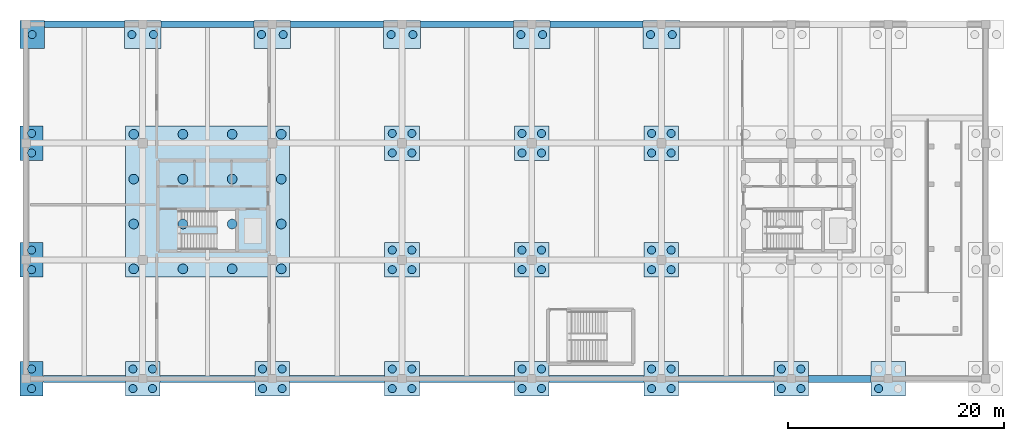
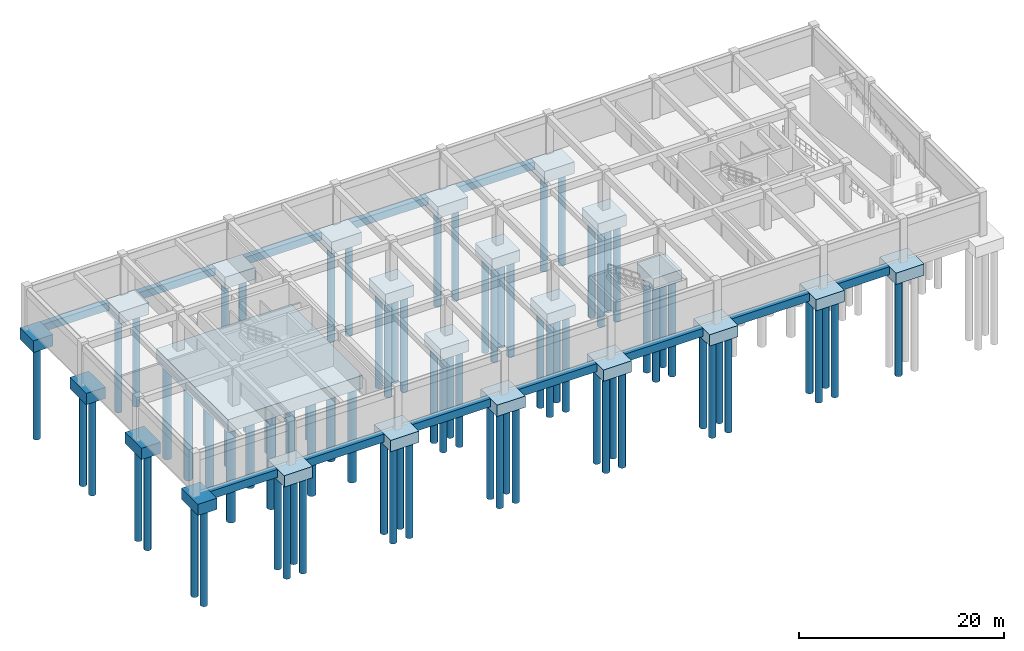
# One storey, part 1 of 8: 82 piles, 35 footings.
"""IFC4 building model written with IfcOpenShell, lengths in metres."""

from ifc_helpers import new_model, si_unit, derived_unit, direction, frame, origin, origin_2d, place, context, subcontext, project, spatial, polyline, rectangle, circle, outline, extrude, material, layer, layer_set, material_profile, profile_set, type_object, element, save


model = new_model("IFC4")

# Units and contexts
model_context = context("Model", 3, precision=1e-05, world=origin(), true_north=direction((0.0, 1.0)))
body_context = subcontext(model_context, "Body", "Model", "MODEL_VIEW")
ifc_project = project(units=[si_unit("LENGTHUNIT", "METRE"), si_unit("AREAUNIT", "SQUARE_METRE"), si_unit("VOLUMEUNIT", "CUBIC_METRE"), si_unit("PLANEANGLEUNIT", "RADIAN"), si_unit("MASSUNIT", "GRAM", prefix="KILO"), derived_unit("THERMALTRANSMITTANCEUNIT", [(si_unit("POWERUNIT", "WATT"), 1), (si_unit("LENGTHUNIT", "METRE"), -2), (si_unit("THERMODYNAMICTEMPERATUREUNIT", "KELVIN"), -1)])], contexts=[model_context])

# Site, building, storey
site_placement = place(None, origin())
site = spatial("IfcSite", under=ifc_project, at=site_placement, CompositionType="ELEMENT")
building_placement = place(site_placement, origin())
building = spatial("IfcBuilding", under=site, at=building_placement, Name="Almenara Railside Exhibition Hall", CompositionType="ELEMENT")
storey_placement = place(building_placement, frame((0.0, 0.0, -4.800048828125)))
storey = spatial("IfcBuildingStorey", under=building, at=storey_placement, Name="B1", CompositionType="ELEMENT", Elevation=-4.800048828125)

# Piles
ifc_material_1 = material(Name="Concrete C40/50", Category="concrete")
ifc_material_profile_1 = material_profile(ifc_material_1, circle(Radius=0.375, at=origin_2d()), Name="CFA-PILE D750")
ifc_profile_set_1 = profile_set([ifc_material_profile_1], Name="Concrete C40/50")
pile_type_1 = type_object("IfcPileType", Name="CFA Bored Pile D750 C40/50", PredefinedType="BORED", material=ifc_profile_set_1)
for number, where, z_axis, x_axis, name in (
    (1, (115.72509765625, -0.905029296875, -1.699951171875), (0.0, 0.0, -1.0), (1.0, 0.0, 0.0), "Bored pile 0321"),
    (2, (115.72509765625, 0.905029296875, -1.699951171875), (0.0, 0.0, -1.0), (1.0, 0.0, 0.0), "Bored pile 0322"),
    (3, (115.72509765625, 10.094970703125, -1.699951171875), (0.0, 0.0, -1.0), (1.0, 0.0, 0.0), "Bored pile 0323"),
    (4, (115.72509765625, 11.905029296875, -1.699951171875), (0.0, 0.0, -1.0), (1.0, 0.0, 0.0), "Bored pile 0324"),
    (5, (115.72509765625, 20.89501953125, -1.699951171875), (0.0, 0.0, -1.0), (1.0, 0.0, 0.0), "Bored pile 0325"),
    (6, (115.72509765625, 22.705078125, -1.699951171875), (0.0, 0.0, -1.0), (1.0, 0.0, 0.0), "Bored pile 0326"),
):
    element("IfcPile", number, at=place(storey_placement, frame(where, z_axis=z_axis, x_axis=x_axis)), inside=storey, type_object=pile_type_1, Name=name, PredefinedType="BORED", context=body_context, shape_type="SweptSolid", body=[
        extrude(circle(Radius=0.375, at=origin_2d()), origin(), (0.0, 0.0, 1.0), 11.5),
    ])
pile_placement = place(storey_placement, frame((115.77490234375, 31.85009765625, -1.75), z_axis=(0.0, 0.0, -1.0), x_axis=(1.0, 0.0, 0.0)))
element("IfcPile", 7, at=pile_placement, inside=storey, type_object=pile_type_1, Name="Bored pile 0327", PredefinedType="BORED", context=body_context, shape_type="SweptSolid", body=[
    extrude(circle(Radius=0.375, at=origin_2d()), origin(), (0.0, 0.0, 1.0), 11.449951171875),
])
for number, where, z_axis, x_axis, name in (
    (8, (125.094970703125, -0.905029296875, -1.699951171875), (0.0, 0.0, -1.0), (1.0, 0.0, 0.0), "Bored pile 0328"),
    (9, (125.094970703125, 0.905029296875, -1.699951171875), (0.0, 0.0, -1.0), (1.0, 0.0, 0.0), "Bored pile 0329"),
    (10, (126.905029296875, -0.905029296875, -1.699951171875), (0.0, 0.0, -1.0), (1.0, 0.0, 0.0), "Bored pile 0330"),
    (11, (126.905029296875, 0.905029296875, -1.699951171875), (0.0, 0.0, -1.0), (1.0, 0.0, 0.0), "Bored pile 0331"),
):
    element("IfcPile", number, at=place(storey_placement, frame(where, z_axis=z_axis, x_axis=x_axis)), inside=storey, type_object=pile_type_1, Name=name, PredefinedType="BORED", context=body_context, shape_type="SweptSolid", body=[
        extrude(circle(Radius=0.375, at=origin_2d()), origin(), (0.0, 0.0, 1.0), 11.5),
    ])
for number, where, z_axis, x_axis, name in (
    (12, (124.9951171875, 31.85009765625, -1.75), (0.0, 0.0, -1.0), (1.0, 0.0, 0.0), "Bored pile 0332"),
    (13, (127.0048828125, 31.85009765625, -1.75), (0.0, 0.0, -1.0), (1.0, 0.0, 0.0), "Bored pile 0333"),
):
    element("IfcPile", number, at=place(storey_placement, frame(where, z_axis=z_axis, x_axis=x_axis)), inside=storey, type_object=pile_type_1, Name=name, PredefinedType="BORED", context=body_context, shape_type="SweptSolid", body=[
        extrude(circle(Radius=0.375, at=origin_2d()), origin(), (0.0, 0.0, 1.0), 11.449951171875),
    ])
for number, where, z_axis, x_axis, name in (
    (14, (137.094970703125, -0.905029296875, -1.699951171875), (0.0, 0.0, -1.0), (1.0, 0.0, 0.0), "Bored pile 0334"),
    (15, (137.094970703125, 0.905029296875, -1.699951171875), (0.0, 0.0, -1.0), (1.0, 0.0, 0.0), "Bored pile 0335"),
    (16, (138.905029296875, -0.905029296875, -1.699951171875), (0.0, 0.0, -1.0), (1.0, 0.0, 0.0), "Bored pile 0336"),
    (17, (138.905029296875, 0.905029296875, -1.699951171875), (0.0, 0.0, -1.0), (1.0, 0.0, 0.0), "Bored pile 0337"),
):
    element("IfcPile", number, at=place(storey_placement, frame(where, z_axis=z_axis, x_axis=x_axis)), inside=storey, type_object=pile_type_1, Name=name, PredefinedType="BORED", context=body_context, shape_type="SweptSolid", body=[
        extrude(circle(Radius=0.375, at=origin_2d()), origin(), (0.0, 0.0, 1.0), 11.5),
    ])
for number, where, z_axis, x_axis, name in (
    (18, (136.9951171875, 31.85009765625, -1.75), (0.0, 0.0, -1.0), (1.0, 0.0, 0.0), "Bored pile 0338"),
    (19, (139.0048828125, 31.85009765625, -1.75), (0.0, 0.0, -1.0), (1.0, 0.0, 0.0), "Bored pile 0339"),
):
    element("IfcPile", number, at=place(storey_placement, frame(where, z_axis=z_axis, x_axis=x_axis)), inside=storey, type_object=pile_type_1, Name=name, PredefinedType="BORED", context=body_context, shape_type="SweptSolid", body=[
        extrude(circle(Radius=0.375, at=origin_2d()), origin(), (0.0, 0.0, 1.0), 11.449951171875),
    ])
for number, where, z_axis, x_axis, name in (
    (20, (149.094970703125, -0.905029296875, -1.699951171875), (0.0, 0.0, -1.0), (1.0, 0.0, 0.0), "Bored pile 0340"),
    (21, (149.094970703125, 0.905029296875, -1.699951171875), (0.0, 0.0, -1.0), (1.0, 0.0, 0.0), "Bored pile 0341"),
    (22, (150.905029296875, -0.905029296875, -1.699951171875), (0.0, 0.0, -1.0), (1.0, 0.0, 0.0), "Bored pile 0342"),
    (23, (150.905029296875, 0.905029296875, -1.699951171875), (0.0, 0.0, -1.0), (1.0, 0.0, 0.0), "Bored pile 0343"),
    (24, (149.094970703125, 10.094970703125, -1.699951171875), (0.0, 0.0, -1.0), (1.0, 0.0, 0.0), "Bored pile 0344"),
    (25, (149.094970703125, 11.905029296875, -1.699951171875), (0.0, 0.0, -1.0), (1.0, 0.0, 0.0), "Bored pile 0345"),
    (26, (150.905029296875, 10.094970703125, -1.699951171875), (0.0, 0.0, -1.0), (1.0, 0.0, 0.0), "Bored pile 0346"),
    (27, (150.905029296875, 11.905029296875, -1.699951171875), (0.0, 0.0, -1.0), (1.0, 0.0, 0.0), "Bored pile 0347"),
    (28, (149.094970703125, 20.89501953125, -1.699951171875), (0.0, 0.0, -1.0), (1.0, 0.0, 0.0), "Bored pile 0348"),
    (29, (149.094970703125, 22.705078125, -1.699951171875), (0.0, 0.0, -1.0), (1.0, 0.0, 0.0), "Bored pile 0349"),
    (30, (150.905029296875, 20.89501953125, -1.699951171875), (0.0, 0.0, -1.0), (1.0, 0.0, 0.0), "Bored pile 0350"),
    (31, (150.905029296875, 22.705078125, -1.699951171875), (0.0, 0.0, -1.0), (1.0, 0.0, 0.0), "Bored pile 0351"),
):
    element("IfcPile", number, at=place(storey_placement, frame(where, z_axis=z_axis, x_axis=x_axis)), inside=storey, type_object=pile_type_1, Name=name, PredefinedType="BORED", context=body_context, shape_type="SweptSolid", body=[
        extrude(circle(Radius=0.375, at=origin_2d()), origin(), (0.0, 0.0, 1.0), 11.5),
    ])
for number, where, z_axis, x_axis, name in (
    (32, (148.9951171875, 31.85009765625, -1.75), (0.0, 0.0, -1.0), (1.0, 0.0, 0.0), "Bored pile 0352"),
    (33, (151.0048828125, 31.85009765625, -1.75), (0.0, 0.0, -1.0), (1.0, 0.0, 0.0), "Bored pile 0353"),
):
    element("IfcPile", number, at=place(storey_placement, frame(where, z_axis=z_axis, x_axis=x_axis)), inside=storey, type_object=pile_type_1, Name=name, PredefinedType="BORED", context=body_context, shape_type="SweptSolid", body=[
        extrude(circle(Radius=0.375, at=origin_2d()), origin(), (0.0, 0.0, 1.0), 11.449951171875),
    ])
for number, where, z_axis, x_axis, name in (
    (34, (161.094970703125, -0.905029296875, -1.699951171875), (0.0, 0.0, -1.0), (1.0, 0.0, 0.0), "Bored pile 0354"),
    (35, (161.094970703125, 0.905029296875, -1.699951171875), (0.0, 0.0, -1.0), (1.0, 0.0, 0.0), "Bored pile 0355"),
    (36, (162.905029296875, -0.905029296875, -1.699951171875), (0.0, 0.0, -1.0), (1.0, 0.0, 0.0), "Bored pile 0356"),
    (37, (162.905029296875, 0.905029296875, -1.699951171875), (0.0, 0.0, -1.0), (1.0, 0.0, 0.0), "Bored pile 0357"),
    (38, (161.094970703125, 10.094970703125, -1.699951171875), (0.0, 0.0, -1.0), (1.0, 0.0, 0.0), "Bored pile 0358"),
    (39, (161.094970703125, 11.905029296875, -1.699951171875), (0.0, 0.0, -1.0), (1.0, 0.0, 0.0), "Bored pile 0359"),
    (40, (162.905029296875, 10.094970703125, -1.699951171875), (0.0, 0.0, -1.0), (1.0, 0.0, 0.0), "Bored pile 0360"),
    (41, (162.905029296875, 11.905029296875, -1.699951171875), (0.0, 0.0, -1.0), (1.0, 0.0, 0.0), "Bored pile 0361"),
    (42, (161.094970703125, 20.89501953125, -1.699951171875), (0.0, 0.0, -1.0), (1.0, 0.0, 0.0), "Bored pile 0362"),
    (43, (161.094970703125, 22.705078125, -1.699951171875), (0.0, 0.0, -1.0), (1.0, 0.0, 0.0), "Bored pile 0363"),
    (44, (162.905029296875, 20.89501953125, -1.699951171875), (0.0, 0.0, -1.0), (1.0, 0.0, 0.0), "Bored pile 0364"),
    (45, (162.905029296875, 22.705078125, -1.699951171875), (0.0, 0.0, -1.0), (1.0, 0.0, 0.0), "Bored pile 0365"),
):
    element("IfcPile", number, at=place(storey_placement, frame(where, z_axis=z_axis, x_axis=x_axis)), inside=storey, type_object=pile_type_1, Name=name, PredefinedType="BORED", context=body_context, shape_type="SweptSolid", body=[
        extrude(circle(Radius=0.375, at=origin_2d()), origin(), (0.0, 0.0, 1.0), 11.5),
    ])
for number, where, z_axis, x_axis, name in (
    (46, (160.9951171875, 31.85009765625, -1.75), (0.0, 0.0, -1.0), (1.0, 0.0, 0.0), "Bored pile 0366"),
    (47, (163.0048828125, 31.85009765625, -1.75), (0.0, 0.0, -1.0), (1.0, 0.0, 0.0), "Bored pile 0367"),
):
    element("IfcPile", number, at=place(storey_placement, frame(where, z_axis=z_axis, x_axis=x_axis)), inside=storey, type_object=pile_type_1, Name=name, PredefinedType="BORED", context=body_context, shape_type="SweptSolid", body=[
        extrude(circle(Radius=0.375, at=origin_2d()), origin(), (0.0, 0.0, 1.0), 11.449951171875),
    ])
for number, where, z_axis, x_axis, name in (
    (48, (173.094970703125, -0.905029296875, -1.699951171875), (0.0, 0.0, -1.0), (1.0, 0.0, 0.0), "Bored pile 0368"),
    (49, (173.094970703125, 0.905029296875, -1.699951171875), (0.0, 0.0, -1.0), (1.0, 0.0, 0.0), "Bored pile 0369"),
    (50, (174.905029296875, -0.905029296875, -1.699951171875), (0.0, 0.0, -1.0), (1.0, 0.0, 0.0), "Bored pile 0370"),
    (51, (174.905029296875, 0.905029296875, -1.699951171875), (0.0, 0.0, -1.0), (1.0, 0.0, 0.0), "Bored pile 0371"),
    (52, (173.094970703125, 10.094970703125, -1.699951171875), (0.0, 0.0, -1.0), (1.0, 0.0, 0.0), "Bored pile 0372"),
    (53, (173.094970703125, 11.905029296875, -1.699951171875), (0.0, 0.0, -1.0), (1.0, 0.0, 0.0), "Bored pile 0373"),
    (54, (174.905029296875, 10.094970703125, -1.699951171875), (0.0, 0.0, -1.0), (1.0, 0.0, 0.0), "Bored pile 0374"),
    (55, (174.905029296875, 11.905029296875, -1.699951171875), (0.0, 0.0, -1.0), (1.0, 0.0, 0.0), "Bored pile 0375"),
    (56, (173.094970703125, 20.89501953125, -1.699951171875), (0.0, 0.0, -1.0), (1.0, 0.0, 0.0), "Bored pile 0376"),
    (57, (173.094970703125, 22.705078125, -1.699951171875), (0.0, 0.0, -1.0), (1.0, 0.0, 0.0), "Bored pile 0377"),
    (58, (174.905029296875, 20.89501953125, -1.699951171875), (0.0, 0.0, -1.0), (1.0, 0.0, 0.0), "Bored pile 0378"),
    (59, (174.905029296875, 22.705078125, -1.699951171875), (0.0, 0.0, -1.0), (1.0, 0.0, 0.0), "Bored pile 0379"),
):
    element("IfcPile", number, at=place(storey_placement, frame(where, z_axis=z_axis, x_axis=x_axis)), inside=storey, type_object=pile_type_1, Name=name, PredefinedType="BORED", context=body_context, shape_type="SweptSolid", body=[
        extrude(circle(Radius=0.375, at=origin_2d()), origin(), (0.0, 0.0, 1.0), 11.5),
    ])
for number, where, z_axis, x_axis, name in (
    (60, (172.9951171875, 31.85009765625, -1.75), (0.0, 0.0, -1.0), (1.0, 0.0, 0.0), "Bored pile 0380"),
    (61, (175.0048828125, 31.85009765625, -1.75), (0.0, 0.0, -1.0), (1.0, 0.0, 0.0), "Bored pile 0381"),
):
    element("IfcPile", number, at=place(storey_placement, frame(where, z_axis=z_axis, x_axis=x_axis)), inside=storey, type_object=pile_type_1, Name=name, PredefinedType="BORED", context=body_context, shape_type="SweptSolid", body=[
        extrude(circle(Radius=0.375, at=origin_2d()), origin(), (0.0, 0.0, 1.0), 11.449951171875),
    ])
for number, where, z_axis, x_axis, name in (
    (62, (185.094970703125, -0.905029296875, -1.699951171875), (0.0, 0.0, -1.0), (1.0, 0.0, 0.0), "Bored pile 0382"),
    (63, (185.094970703125, 0.905029296875, -1.699951171875), (0.0, 0.0, -1.0), (1.0, 0.0, 0.0), "Bored pile 0383"),
    (64, (186.905029296875, -0.905029296875, -1.699951171875), (0.0, 0.0, -1.0), (1.0, 0.0, 0.0), "Bored pile 0384"),
    (65, (186.905029296875, 0.905029296875, -1.699951171875), (0.0, 0.0, -1.0), (1.0, 0.0, 0.0), "Bored pile 0385"),
    (66, (194.094970703125, -0.905029296875, -1.699951171875), (0.0, 0.0, -1.0), (1.0, 0.0, 0.0), "Bored pile 0388"),
):
    element("IfcPile", number, at=place(storey_placement, frame(where, z_axis=z_axis, x_axis=x_axis)), inside=storey, type_object=pile_type_1, Name=name, PredefinedType="BORED", context=body_context, shape_type="SweptSolid", body=[
        extrude(circle(Radius=0.375, at=origin_2d()), origin(), (0.0, 0.0, 1.0), 11.5),
    ])
ifc_material_profile_2 = material_profile(ifc_material_1, circle(Radius=0.449951171875, at=origin_2d()), Name="CFA-PILE D900")
ifc_profile_set_2 = profile_set([ifc_material_profile_2], Name="Concrete C40/50")
pile_type_2 = type_object("IfcPileType", Name="CFA Bored Pile D900 C40/50", PredefinedType="BORED", material=ifc_profile_set_2)
for number, where, z_axis, x_axis, name in (
    (67, (125.169921875, 10.169921875, -1.89990234375), (0.0, 0.0, -1.0), (1.0, 0.0, 0.0), "Bored pile 0065"),
    (68, (125.169921875, 14.322998046875, -1.89990234375), (0.0, 0.0, -1.0), (1.0, 0.0, 0.0), "Bored pile 0066"),
    (69, (125.169921875, 18.47705078125, -1.89990234375), (0.0, 0.0, -1.0), (1.0, 0.0, 0.0), "Bored pile 0067"),
    (70, (125.169921875, 22.6298828125, -1.89990234375), (0.0, 0.0, -1.0), (1.0, 0.0, 0.0), "Bored pile 0068"),
    (71, (129.722900390625, 10.169921875, -1.89990234375), (0.0, 0.0, -1.0), (1.0, 0.0, 0.0), "Bored pile 0069"),
    (72, (129.722900390625, 14.322998046875, -1.89990234375), (0.0, 0.0, -1.0), (1.0, 0.0, 0.0), "Bored pile 0070"),
    (73, (129.722900390625, 18.47705078125, -1.89990234375), (0.0, 0.0, -1.0), (1.0, 0.0, 0.0), "Bored pile 0071"),
    (74, (129.722900390625, 22.6298828125, -1.89990234375), (0.0, 0.0, -1.0), (1.0, 0.0, 0.0), "Bored pile 0072"),
    (75, (134.277099609375, 10.169921875, -1.89990234375), (0.0, 0.0, -1.0), (1.0, 0.0, 0.0), "Bored pile 0073"),
    (76, (134.277099609375, 14.322998046875, -1.89990234375), (0.0, 0.0, -1.0), (1.0, 0.0, 0.0), "Bored pile 0074"),
    (77, (134.277099609375, 18.47705078125, -1.89990234375), (0.0, 0.0, -1.0), (1.0, 0.0, 0.0), "Bored pile 0075"),
    (78, (134.277099609375, 22.6298828125, -1.89990234375), (0.0, 0.0, -1.0), (1.0, 0.0, 0.0), "Bored pile 0076"),
    (79, (138.830078125, 10.169921875, -1.89990234375), (0.0, 0.0, -1.0), (1.0, 0.0, 0.0), "Bored pile 0077"),
    (80, (138.830078125, 14.322998046875, -1.89990234375), (0.0, 0.0, -1.0), (1.0, 0.0, 0.0), "Bored pile 0078"),
    (81, (138.830078125, 18.47705078125, -1.89990234375), (0.0, 0.0, -1.0), (1.0, 0.0, 0.0), "Bored pile 0079"),
    (82, (138.830078125, 22.6298828125, -1.89990234375), (0.0, 0.0, -1.0), (1.0, 0.0, 0.0), "Bored pile 0080"),
):
    element("IfcPile", number, at=place(storey_placement, frame(where, z_axis=z_axis, x_axis=x_axis)), inside=storey, type_object=pile_type_2, Name=name, PredefinedType="BORED", context=body_context, shape_type="SweptSolid", body=[
        extrude(circle(Radius=0.449951171875, at=origin_2d()), origin(), (0.0, 0.0, 1.0), 11.300048828125),
    ])

# Footings
ifc_layer_1 = layer(ifc_material_1, 1.550048828125, Name="Concrete C40/50")
ifc_layer_set_1 = layer_set([ifc_layer_1], Name="Concrete C40/50")
footing_type_1 = type_object("IfcFootingType", Name="Core Six-Pile Cap 9400x9000x1550 C40/50", PredefinedType="PILE_CAP", material=ifc_layer_set_1)
footing_1_placement = place(storey_placement, frame((0.0, 0.0, -2.0)))
element("IfcFooting", 83, at=footing_1_placement, inside=storey, type_object=footing_type_1, Name="Pile cap PC-6A-005", PredefinedType="PILE_CAP", context=body_context, shape_type="SweptSolid", body=[
    extrude(outline(polyline([(124.39990234375, 9.39990234375), (139.60009765625, 9.39990234375), (139.60009765625, 23.39990234375), (124.39990234375, 23.39990234375), (124.39990234375, 9.39990234375)])), origin(), (0.0, 0.0, 1.0), 1.550048828125),
])
ifc_layer_2 = layer(ifc_material_1, 1.39990234375, Name="Concrete C40/50")
ifc_layer_set_2 = layer_set([ifc_layer_2], Name="Concrete C40/50")
footing_type_2 = type_object("IfcFootingType", Name="Eccentric Joint Four-Pile Cap 3400x2800x1400 C40/50", PredefinedType="PILE_CAP", material=ifc_layer_set_2)
footing_2_placement = place(storey_placement, frame((0.0, 0.0, -1.849853515625)))
element("IfcFooting", 84, at=footing_2_placement, inside=storey, type_object=footing_type_2, Name="Pile cap PC-4J-127", PredefinedType="PILE_CAP", context=body_context, shape_type="SweptSolid", body=[
    extrude(outline(polyline([(114.64990234375, 30.550048828125), (116.89990234375, 30.550048828125), (116.89990234375, 33.14990234375), (114.64990234375, 33.14990234375), (114.64990234375, 30.550048828125)])), origin(), (0.0, 0.0, 1.0), 1.39990234375),
])
footing_3_placement = place(storey_placement, frame((0.0, 0.0, -1.849853515625)))
element("IfcFooting", 85, at=footing_3_placement, inside=storey, type_object=footing_type_2, Name="Pile cap PC-4J-129", PredefinedType="PILE_CAP", context=body_context, shape_type="SweptSolid", body=[
    extrude(outline(polyline([(124.300048828125, 30.550048828125), (127.699951171875, 30.550048828125), (127.699951171875, 33.14990234375), (124.300048828125, 33.14990234375), (124.300048828125, 30.550048828125)])), origin(), (0.0, 0.0, 1.0), 1.39990234375),
])
footing_4_placement = place(storey_placement, frame((0.0, 0.0, -1.849853515625)))
element("IfcFooting", 86, at=footing_4_placement, inside=storey, type_object=footing_type_2, Name="Pile cap PC-4J-131", PredefinedType="PILE_CAP", context=body_context, shape_type="SweptSolid", body=[
    extrude(outline(polyline([(136.300048828125, 30.550048828125), (139.699951171875, 30.550048828125), (139.699951171875, 33.14990234375), (136.300048828125, 33.14990234375), (136.300048828125, 30.550048828125)])), origin(), (0.0, 0.0, 1.0), 1.39990234375),
])
footing_5_placement = place(storey_placement, frame((0.0, 0.0, -1.849853515625)))
element("IfcFooting", 87, at=footing_5_placement, inside=storey, type_object=footing_type_2, Name="Pile cap PC-4J-135", PredefinedType="PILE_CAP", context=body_context, shape_type="SweptSolid", body=[
    extrude(outline(polyline([(148.300048828125, 30.550048828125), (151.699951171875, 30.550048828125), (151.699951171875, 33.14990234375), (148.300048828125, 33.14990234375), (148.300048828125, 30.550048828125)])), origin(), (0.0, 0.0, 1.0), 1.39990234375),
])
footing_6_placement = place(storey_placement, frame((0.0, 0.0, -1.849853515625)))
element("IfcFooting", 88, at=footing_6_placement, inside=storey, type_object=footing_type_2, Name="Pile cap PC-4J-139", PredefinedType="PILE_CAP", context=body_context, shape_type="SweptSolid", body=[
    extrude(outline(polyline([(160.300048828125, 30.550048828125), (163.699951171875, 30.550048828125), (163.699951171875, 33.14990234375), (160.300048828125, 33.14990234375), (160.300048828125, 30.550048828125)])), origin(), (0.0, 0.0, 1.0), 1.39990234375),
])
footing_7_placement = place(storey_placement, frame((0.0, 0.0, -1.849853515625)))
element("IfcFooting", 89, at=footing_7_placement, inside=storey, type_object=footing_type_2, Name="Pile cap PC-4J-143", PredefinedType="PILE_CAP", context=body_context, shape_type="SweptSolid", body=[
    extrude(outline(polyline([(172.300048828125, 30.550048828125), (175.699951171875, 30.550048828125), (175.699951171875, 33.14990234375), (172.300048828125, 33.14990234375), (172.300048828125, 30.550048828125)])), origin(), (0.0, 0.0, 1.0), 1.39990234375),
])
ifc_material_2 = material(Name="Concrete C35/45", Category="concrete")
ifc_material_profile_3 = material_profile(ifc_material_2, rectangle(XDim=0.60009765625, YDim=0.89990234375, at=origin_2d()), Name="RC-GB 600x900")
ifc_profile_set_3 = profile_set([ifc_material_profile_3], Name="Concrete C35/45")
footing_type_3 = type_object("IfcFootingType", Name="Ground Tie Beam 600x900 C35/45", PredefinedType="FOOTING_BEAM", material=ifc_profile_set_3)
footing_8_placement = place(storey_placement, frame((116.902099609375, 32.800048828125, -0.89990234375), z_axis=(1.0, 0.0, 0.0), x_axis=(0.0, 1.0, 0.0)))
element("IfcFooting", 90, at=footing_8_placement, inside=storey, type_object=footing_type_3, Name="GB-B1-009", PredefinedType="FOOTING_BEAM", context=body_context, shape_type="SweptSolid", body=[
    extrude(rectangle(XDim=0.60009765625, YDim=0.89990234375, at=origin_2d()), origin(), (0.0, 0.0, 1.0), 7.39599609375),
])
for number, where, z_axis, x_axis, name in (
    (91, (127.701904296875, 32.800048828125, -0.89990234375), (1.0, 0.0, 0.0), (0.0, 1.0, 0.0), "GB-B1-010"),
    (92, (139.701904296875, 32.800048828125, -0.89990234375), (1.0, 0.0, 0.0), (0.0, 1.0, 0.0), "GB-B1-011"),
    (93, (151.701904296875, 32.800048828125, -0.89990234375), (1.0, 0.0, 0.0), (0.0, 1.0, 0.0), "GB-B1-012"),
    (94, (163.701904296875, 32.800048828125, -0.89990234375), (1.0, 0.0, 0.0), (0.0, 1.0, 0.0), "GB-B1-013"),
):
    element("IfcFooting", number, at=place(storey_placement, frame(where, z_axis=z_axis, x_axis=x_axis)), inside=storey, type_object=footing_type_3, Name=name, PredefinedType="FOOTING_BEAM", context=body_context, shape_type="SweptSolid", body=[
        extrude(rectangle(XDim=0.60009765625, YDim=0.89990234375, at=origin_2d()), origin(), (0.0, 0.0, 1.0), 8.59619140625),
    ])
ifc_material_profile_4 = material_profile(ifc_material_2, rectangle(XDim=0.64990234375, YDim=0.949951171875, at=origin_2d()), Name="RC-GB 650x950")
ifc_profile_set_4 = profile_set([ifc_material_profile_4], Name="Concrete C35/45")
footing_type_4 = type_object("IfcFootingType", Name="Ground Tie Beam 650x950 C35/45", PredefinedType="FOOTING_BEAM", material=ifc_profile_set_4)
footing_9_placement = place(storey_placement, frame((116.802001953125, 0.0, -0.925048828125), z_axis=(1.0, 0.0, 0.0), x_axis=(0.0, 1.0, 0.0)))
element("IfcFooting", 95, at=footing_9_placement, inside=storey, type_object=footing_type_4, Name="GB-B1-001", PredefinedType="FOOTING_BEAM", context=body_context, shape_type="SweptSolid", body=[
    extrude(rectangle(XDim=0.64990234375, YDim=0.949951171875, at=origin_2d()), origin(), (0.0, 0.0, 1.0), 7.595947265625),
])
for number, where, z_axis, x_axis, name in (
    (96, (127.60205078125, 0.0, -0.925048828125), (1.0, 0.0, 0.0), (0.0, 1.0, 0.0), "GB-B1-002"),
    (97, (139.60205078125, 0.0, -0.925048828125), (1.0, 0.0, 0.0), (0.0, 1.0, 0.0), "GB-B1-003"),
    (98, (151.60205078125, 0.0, -0.925048828125), (1.0, 0.0, 0.0), (0.0, 1.0, 0.0), "GB-B1-004"),
    (99, (163.60205078125, 0.0, -0.925048828125), (1.0, 0.0, 0.0), (0.0, 1.0, 0.0), "GB-B1-005"),
    (100, (175.60205078125, 0.0, -0.925048828125), (1.0, 0.0, 0.0), (0.0, 1.0, 0.0), "GB-B1-006"),
):
    element("IfcFooting", number, at=place(storey_placement, frame(where, z_axis=z_axis, x_axis=x_axis)), inside=storey, type_object=footing_type_4, Name=name, PredefinedType="FOOTING_BEAM", context=body_context, shape_type="SweptSolid", body=[
        extrude(rectangle(XDim=0.64990234375, YDim=0.949951171875, at=origin_2d()), origin(), (0.0, 0.0, 1.0), 8.7958984375),
    ])
footing_10_placement = place(storey_placement, frame((187.60205078125, 0.0, -0.925048828125), z_axis=(1.0, 0.0, 0.0), x_axis=(0.0, 1.0, 0.0)))
element("IfcFooting", 101, at=footing_10_placement, inside=storey, type_object=footing_type_4, Name="GB-B1-007", PredefinedType="FOOTING_BEAM", context=body_context, shape_type="SweptSolid", body=[
    extrude(rectangle(XDim=0.64990234375, YDim=0.949951171875, at=origin_2d()), origin(), (0.0, 0.0, 1.0), 5.7958984375),
])
ifc_layer_3 = layer(ifc_material_1, 1.35009765625, Name="Concrete C40/50")
ifc_layer_set_3 = layer_set([ifc_layer_3], Name="Concrete C40/50")
footing_type_5 = type_object("IfcFootingType", Name="Wing Four-Pile Cap 3200x3200x1350 C40/50", PredefinedType="PILE_CAP", material=ifc_layer_set_3)
footing_11_placement = place(storey_placement, frame((0.0, 0.0, -1.800048828125)))
element("IfcFooting", 102, at=footing_11_placement, inside=storey, type_object=footing_type_5, Name="Pile cap PC-4W-124", PredefinedType="PILE_CAP", context=body_context, shape_type="SweptSolid", body=[
    extrude(outline(polyline([(114.64990234375, -1.60009765625), (116.800048828125, -1.60009765625), (116.800048828125, 1.60009765625), (114.64990234375, 1.60009765625), (114.64990234375, -1.60009765625)])), origin(), (0.0, 0.0, 1.0), 1.35009765625),
])
footing_12_placement = place(storey_placement, frame((0.0, 0.0, -1.800048828125)))
element("IfcFooting", 103, at=footing_12_placement, inside=storey, type_object=footing_type_5, Name="Pile cap PC-4W-125", PredefinedType="PILE_CAP", context=body_context, shape_type="SweptSolid", body=[
    extrude(outline(polyline([(114.64990234375, 9.39990234375), (116.800048828125, 9.39990234375), (116.800048828125, 12.60009765625), (114.64990234375, 12.60009765625), (114.64990234375, 9.39990234375)])), origin(), (0.0, 0.0, 1.0), 1.35009765625),
])
footing_13_placement = place(storey_placement, frame((0.0, 0.0, -1.800048828125)))
element("IfcFooting", 104, at=footing_13_placement, inside=storey, type_object=footing_type_5, Name="Pile cap PC-4W-126", PredefinedType="PILE_CAP", context=body_context, shape_type="SweptSolid", body=[
    extrude(outline(polyline([(114.64990234375, 20.199951171875), (116.800048828125, 20.199951171875), (116.800048828125, 23.39990234375), (114.64990234375, 23.39990234375), (114.64990234375, 20.199951171875)])), origin(), (0.0, 0.0, 1.0), 1.35009765625),
])
footing_14_placement = place(storey_placement, frame((0.0, 0.0, -1.800048828125)))
element("IfcFooting", 105, at=footing_14_placement, inside=storey, type_object=footing_type_5, Name="Pile cap PC-4W-128", PredefinedType="PILE_CAP", context=body_context, shape_type="SweptSolid", body=[
    extrude(outline(polyline([(124.39990234375, -1.60009765625), (127.60009765625, -1.60009765625), (127.60009765625, 1.60009765625), (124.39990234375, 1.60009765625), (124.39990234375, -1.60009765625)])), origin(), (0.0, 0.0, 1.0), 1.35009765625),
])
footing_15_placement = place(storey_placement, frame((0.0, 0.0, -1.800048828125)))
element("IfcFooting", 106, at=footing_15_placement, inside=storey, type_object=footing_type_5, Name="Pile cap PC-4W-130", PredefinedType="PILE_CAP", context=body_context, shape_type="SweptSolid", body=[
    extrude(outline(polyline([(136.39990234375, -1.60009765625), (139.60009765625, -1.60009765625), (139.60009765625, 1.60009765625), (136.39990234375, 1.60009765625), (136.39990234375, -1.60009765625)])), origin(), (0.0, 0.0, 1.0), 1.35009765625),
])
footing_16_placement = place(storey_placement, frame((0.0, 0.0, -1.800048828125)))
element("IfcFooting", 107, at=footing_16_placement, inside=storey, type_object=footing_type_5, Name="Pile cap PC-4W-132", PredefinedType="PILE_CAP", context=body_context, shape_type="SweptSolid", body=[
    extrude(outline(polyline([(148.39990234375, -1.60009765625), (151.60009765625, -1.60009765625), (151.60009765625, 1.60009765625), (148.39990234375, 1.60009765625), (148.39990234375, -1.60009765625)])), origin(), (0.0, 0.0, 1.0), 1.35009765625),
])
footing_17_placement = place(storey_placement, frame((0.0, 0.0, -1.800048828125)))
element("IfcFooting", 108, at=footing_17_placement, inside=storey, type_object=footing_type_5, Name="Pile cap PC-4W-133", PredefinedType="PILE_CAP", context=body_context, shape_type="SweptSolid", body=[
    extrude(outline(polyline([(148.39990234375, 9.39990234375), (151.60009765625, 9.39990234375), (151.60009765625, 12.60009765625), (148.39990234375, 12.60009765625), (148.39990234375, 9.39990234375)])), origin(), (0.0, 0.0, 1.0), 1.35009765625),
])
footing_18_placement = place(storey_placement, frame((0.0, 0.0, -1.800048828125)))
element("IfcFooting", 109, at=footing_18_placement, inside=storey, type_object=footing_type_5, Name="Pile cap PC-4W-134", PredefinedType="PILE_CAP", context=body_context, shape_type="SweptSolid", body=[
    extrude(outline(polyline([(148.39990234375, 20.199951171875), (151.60009765625, 20.199951171875), (151.60009765625, 23.39990234375), (148.39990234375, 23.39990234375), (148.39990234375, 20.199951171875)])), origin(), (0.0, 0.0, 1.0), 1.35009765625),
])
footing_19_placement = place(storey_placement, frame((0.0, 0.0, -1.800048828125)))
element("IfcFooting", 110, at=footing_19_placement, inside=storey, type_object=footing_type_5, Name="Pile cap PC-4W-136", PredefinedType="PILE_CAP", context=body_context, shape_type="SweptSolid", body=[
    extrude(outline(polyline([(160.39990234375, -1.60009765625), (163.60009765625, -1.60009765625), (163.60009765625, 1.60009765625), (160.39990234375, 1.60009765625), (160.39990234375, -1.60009765625)])), origin(), (0.0, 0.0, 1.0), 1.35009765625),
])
footing_20_placement = place(storey_placement, frame((0.0, 0.0, -1.800048828125)))
element("IfcFooting", 111, at=footing_20_placement, inside=storey, type_object=footing_type_5, Name="Pile cap PC-4W-137", PredefinedType="PILE_CAP", context=body_context, shape_type="SweptSolid", body=[
    extrude(outline(polyline([(160.39990234375, 9.39990234375), (163.60009765625, 9.39990234375), (163.60009765625, 12.60009765625), (160.39990234375, 12.60009765625), (160.39990234375, 9.39990234375)])), origin(), (0.0, 0.0, 1.0), 1.35009765625),
])
footing_21_placement = place(storey_placement, frame((0.0, 0.0, -1.800048828125)))
element("IfcFooting", 112, at=footing_21_placement, inside=storey, type_object=footing_type_5, Name="Pile cap PC-4W-138", PredefinedType="PILE_CAP", context=body_context, shape_type="SweptSolid", body=[
    extrude(outline(polyline([(160.39990234375, 20.199951171875), (163.60009765625, 20.199951171875), (163.60009765625, 23.39990234375), (160.39990234375, 23.39990234375), (160.39990234375, 20.199951171875)])), origin(), (0.0, 0.0, 1.0), 1.35009765625),
])
footing_22_placement = place(storey_placement, frame((0.0, 0.0, -1.800048828125)))
element("IfcFooting", 113, at=footing_22_placement, inside=storey, type_object=footing_type_5, Name="Pile cap PC-4W-140", PredefinedType="PILE_CAP", context=body_context, shape_type="SweptSolid", body=[
    extrude(outline(polyline([(172.39990234375, -1.60009765625), (175.60009765625, -1.60009765625), (175.60009765625, 1.60009765625), (172.39990234375, 1.60009765625), (172.39990234375, -1.60009765625)])), origin(), (0.0, 0.0, 1.0), 1.35009765625),
])
footing_23_placement = place(storey_placement, frame((0.0, 0.0, -1.800048828125)))
element("IfcFooting", 114, at=footing_23_placement, inside=storey, type_object=footing_type_5, Name="Pile cap PC-4W-141", PredefinedType="PILE_CAP", context=body_context, shape_type="SweptSolid", body=[
    extrude(outline(polyline([(172.39990234375, 9.39990234375), (175.60009765625, 9.39990234375), (175.60009765625, 12.60009765625), (172.39990234375, 12.60009765625), (172.39990234375, 9.39990234375)])), origin(), (0.0, 0.0, 1.0), 1.35009765625),
])
footing_24_placement = place(storey_placement, frame((0.0, 0.0, -1.800048828125)))
element("IfcFooting", 115, at=footing_24_placement, inside=storey, type_object=footing_type_5, Name="Pile cap PC-4W-142", PredefinedType="PILE_CAP", context=body_context, shape_type="SweptSolid", body=[
    extrude(outline(polyline([(172.39990234375, 20.199951171875), (175.60009765625, 20.199951171875), (175.60009765625, 23.39990234375), (172.39990234375, 23.39990234375), (172.39990234375, 20.199951171875)])), origin(), (0.0, 0.0, 1.0), 1.35009765625),
])
footing_25_placement = place(storey_placement, frame((0.0, 0.0, -1.800048828125)))
element("IfcFooting", 116, at=footing_25_placement, inside=storey, type_object=footing_type_5, Name="Pile cap PC-4W-144", PredefinedType="PILE_CAP", context=body_context, shape_type="SweptSolid", body=[
    extrude(outline(polyline([(184.39990234375, -1.60009765625), (187.60009765625, -1.60009765625), (187.60009765625, 1.60009765625), (184.39990234375, 1.60009765625), (184.39990234375, -1.60009765625)])), origin(), (0.0, 0.0, 1.0), 1.35009765625),
])
footing_26_placement = place(storey_placement, frame((0.0, 0.0, -1.800048828125)))
element("IfcFooting", 117, at=footing_26_placement, inside=storey, type_object=footing_type_5, Name="Pile cap PC-4W-146", PredefinedType="PILE_CAP", context=body_context, shape_type="SweptSolid", body=[
    extrude(outline(polyline([(193.39990234375, -1.60009765625), (196.60009765625, -1.60009765625), (196.60009765625, 1.60009765625), (193.39990234375, 1.60009765625), (193.39990234375, -1.60009765625)])), origin(), (0.0, 0.0, 1.0), 1.35009765625),
])

save(model, "model.ifc")
